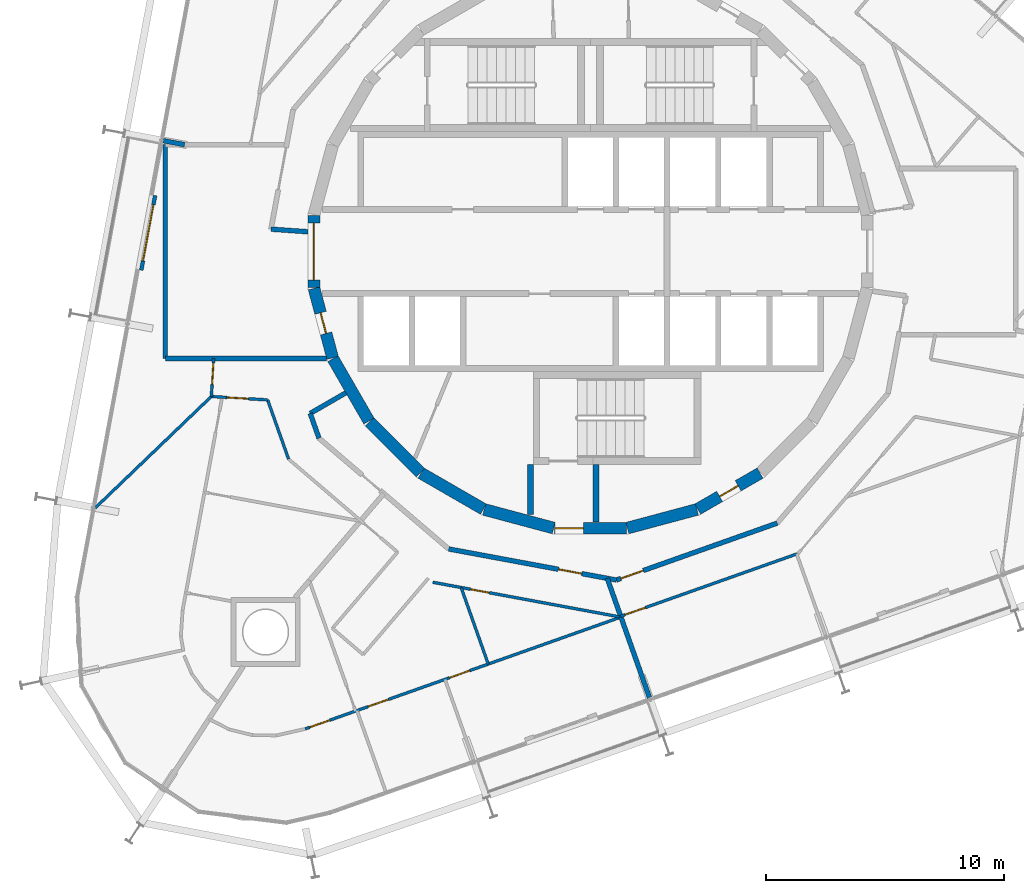
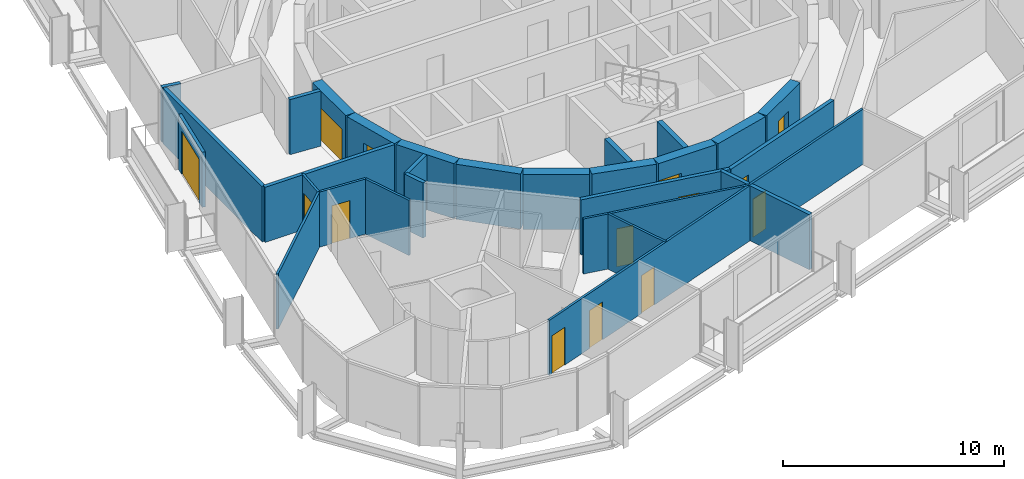
# One storey, part 11 of 17: 29 walls, 14 doors, 14 openings.
"""IFC4 building model written with IfcOpenShell, lengths in metres."""

from ifc_helpers import new_model, si_unit, direction, frame, frame_2d, origin, place, context, subcontext, project, spatial, rectangle, extrude, material, layer, layer_set, type_object, element, fill, save


model = new_model("IFC4")

# Units and contexts
model_context = context("Model", 3, precision=1e-05, world=origin(), true_north=direction((0.0, 1.0)))
body_context = subcontext(model_context, "Body", "Model", "MODEL_VIEW")
ifc_project = project(units=[si_unit("LENGTHUNIT", "METRE"), si_unit("AREAUNIT", "SQUARE_METRE"), si_unit("VOLUMEUNIT", "CUBIC_METRE"), si_unit("PLANEANGLEUNIT", "RADIAN"), si_unit("MASSUNIT", "GRAM", prefix="KILO")], contexts=[model_context])

# Site, building, storey
site_placement = place(None, origin())
site = spatial("IfcSite", under=ifc_project, at=site_placement, CompositionType="ELEMENT")
building_placement = place(site_placement, origin())
building = spatial("IfcBuilding", under=site, at=building_placement, Name="Spindle Arch Residences", CompositionType="ELEMENT")
storey_placement = place(building_placement, frame((0.0, 0.0, 179.699951171875)))
storey = spatial("IfcBuildingStorey", under=building, at=storey_placement, Name="L45", CompositionType="ELEMENT", Elevation=179.699951171875)

# Wall
ifc_material_1 = material(Name="Concrete C50/60", Category="concrete")
ifc_layer_1 = layer(ifc_material_1, 0.5)
ifc_layer_set_1 = layer_set([ifc_layer_1], Name="Core outline wall 500")
wall_type_1 = type_object("IfcWallType", Name="Core outline wall 500", PredefinedType="SHEAR", material=ifc_layer_set_1)
wall_1_placement = place(storey_placement, frame((1.5498046875, -11.642822265625, 0.0), z_axis=(0.0, 0.0, 1.0), x_axis=(0.965948410781, 0.258734743916, 0.0)))
element("IfcWall", 1, at=wall_1_placement, inside=storey, type_object=wall_type_1, Name="Core outline wall 1", PredefinedType="SHEAR", context=body_context, shape_type="SweptSolid", body=[
    extrude(rectangle(XDim=3.03271484375, YDim=0.5, at=frame_2d((1.516357421875, 0.0))), origin(), (0.0, 0.0, 1.0), 3.050048828125),
])

# Wall, opening, door
wall_2_placement = place(storey_placement, frame((4.510498046875, -10.84521484375, 0.0), z_axis=(0.0, 0.0, 1.0), x_axis=(0.865975092491, 0.500087131594, 0.0)))
wall_2 = element("IfcWall", 2, at=wall_2_placement, inside=storey, type_object=wall_type_1, Name="Core outline wall 2", PredefinedType="SHEAR", context=body_context, shape_type="SweptSolid", body=[
    extrude(rectangle(XDim=3.03271484375, YDim=0.5, at=frame_2d((1.516357421875, 0.0))), origin(), (0.0, 0.0, 1.0), 3.050048828125),
])
opening_1_placement = place(wall_2_placement, frame((1.06640625, 0.0, 0.0)))
opening_1 = element("IfcOpeningElement", 3, at=opening_1_placement, cuts=wall_2, Name="Opening R4C0-WD07", PredefinedType="OPENING", context=body_context, shape_type="SweptSolid", body=[
    extrude(rectangle(XDim=0.89990234375, YDim=2.10009765625, at=frame_2d((0.449951171875, 1.050048828125))), frame((0.0, 0.260009765625, 0.0), z_axis=(0.0, -1.0, 0.0), x_axis=(1.0, 0.0, 0.0)), (0.0, 0.0, 1.0), 0.52001953125),
])
ifc_material_2 = material(Name="Steel, fire-resisting door", Category="steel")
door_type_1 = type_object("IfcDoorType", Name="Service room door 900x2100", OperationType="SINGLE_SWING_LEFT", PredefinedType="DOOR", material=ifc_material_2)
door_1_placement = place(opening_1_placement, origin())
door_1 = element("IfcDoor", 4, at=door_1_placement, inside=storey, type_object=door_type_1, Name="Service room door R4C0-WD07", OperationType="SINGLE_SWING_LEFT", OverallHeight=2.10009765625, OverallWidth=0.89990234375, PredefinedType="DOOR", context=body_context, shape_type="SweptSolid", body=[
    extrude(rectangle(XDim=0.89990234375, YDim=2.10009765625, at=frame_2d((0.449951171875, 1.050048828125))), frame((0.0, 0.02490234375, 0.0), z_axis=(0.0, -1.0, 0.0), x_axis=(1.0, 0.0, 0.0)), (0.0, 0.0, 1.0), 0.050048828125),
])
fill(opening_1, door_1)

wall_3_placement = place(storey_placement, frame((-11.647216796875, 1.516357421875, 0.0), z_axis=(0.0, 0.0, 1.0), x_axis=(0.0, -1.0, 0.0)))
wall_3 = element("IfcWall", 5, at=wall_3_placement, inside=storey, type_object=wall_type_1, Name="Core outline wall 18", PredefinedType="SHEAR", context=body_context, shape_type="SweptSolid", body=[
    extrude(rectangle(XDim=3.03271484375, YDim=0.5, at=frame_2d((1.516357421875, 0.0))), origin(), (0.0, 0.0, 1.0), 3.050048828125),
])
opening_2_placement = place(wall_3_placement, frame((0.31640625, 0.0, 0.0)))
opening_2 = element("IfcOpeningElement", 6, at=opening_2_placement, cuts=wall_3, Name="Opening R4C0-LE01", PredefinedType="OPENING", context=body_context, shape_type="SweptSolid", body=[
    extrude(rectangle(XDim=2.39990234375, YDim=2.10009765625, at=frame_2d((1.199951171875, 1.050048828125))), frame((0.0, 0.260009765625, 0.0), z_axis=(0.0, -1.0, 0.0), x_axis=(1.0, 0.0, 0.0)), (0.0, 0.0, 1.0), 0.52001953125),
])
ifc_material_3 = material(Name="Steel, fire-resisting door", Category="steel")
door_type_2 = type_object("IfcDoorType", Name="Lift lobby entrance door 2400x2100", OperationType="DOUBLE_DOOR_SINGLE_SWING", PredefinedType="DOOR", material=ifc_material_3)
door_2_placement = place(opening_2_placement, origin())
door_2 = element("IfcDoor", 7, at=door_2_placement, inside=storey, type_object=door_type_2, Name="Lift lobby entrance door R4C0-LE01", OperationType="DOUBLE_DOOR_SINGLE_SWING", OverallHeight=2.10009765625, OverallWidth=2.39990234375, PredefinedType="DOOR", context=body_context, shape_type="SweptSolid", body=[
    extrude(rectangle(XDim=2.39990234375, YDim=2.10009765625, at=frame_2d((1.199951171875, 1.050048828125))), frame((0.0, 0.02490234375, 0.0), z_axis=(0.0, -1.0, 0.0), x_axis=(1.0, 0.0, 0.0)), (0.0, 0.0, 1.0), 0.050048828125),
])
fill(opening_2, door_2)

wall_4_placement = place(storey_placement, frame((-11.642822265625, -1.5498046875, 0.0), z_axis=(0.0, 0.0, 1.0), x_axis=(0.258734743916, -0.965948410781, 0.0)))
wall_4 = element("IfcWall", 8, at=wall_4_placement, inside=storey, type_object=wall_type_1, Name="Core outline wall 19", PredefinedType="SHEAR", context=body_context, shape_type="SweptSolid", body=[
    extrude(rectangle(XDim=3.03271484375, YDim=0.5, at=frame_2d((1.516357421875, 0.0))), origin(), (0.0, 0.0, 1.0), 3.050048828125),
])
opening_3_placement = place(wall_4_placement, frame((1.06640625, 0.0, 0.0)))
opening_3 = element("IfcOpeningElement", 9, at=opening_3_placement, cuts=wall_4, Name="Opening R4C0-WD08", PredefinedType="OPENING", context=body_context, shape_type="SweptSolid", body=[
    extrude(rectangle(XDim=0.89990234375, YDim=2.10009765625, at=frame_2d((0.449951171875, 1.050048828125))), frame((0.0, 0.260009765625, 0.0), z_axis=(0.0, -1.0, 0.0), x_axis=(1.0, 0.0, 0.0)), (0.0, 0.0, 1.0), 0.52001953125),
])
door_3_placement = place(opening_3_placement, origin())
door_3 = element("IfcDoor", 10, at=door_3_placement, inside=storey, type_object=door_type_1, Name="Service room door R4C0-WD08", OperationType="SINGLE_SWING_RIGHT", OverallHeight=2.10009765625, OverallWidth=0.89990234375, PredefinedType="DOOR", context=body_context, shape_type="SweptSolid", body=[
    extrude(rectangle(XDim=0.89990234375, YDim=2.10009765625, at=frame_2d((0.449951171875, 1.050048828125))), frame((0.0, 0.02490234375, 0.0), z_axis=(0.0, -1.0, 0.0), x_axis=(1.0, 0.0, 0.0)), (0.0, 0.0, 1.0), 0.050048828125),
])
fill(opening_3, door_3)

# Walls
wall_5_placement = place(storey_placement, frame((-10.84521484375, -4.510498046875, 0.0), z_axis=(0.0, 0.0, 1.0), x_axis=(0.500087131594, -0.865975092491, 0.0)))
element("IfcWall", 11, at=wall_5_placement, inside=storey, type_object=wall_type_1, Name="Core outline wall 20", PredefinedType="SHEAR", context=body_context, shape_type="SweptSolid", body=[
    extrude(rectangle(XDim=3.03271484375, YDim=0.5, at=frame_2d((1.516357421875, 0.0))), origin(), (0.0, 0.0, 1.0), 3.050048828125),
])
wall_6_placement = place(storey_placement, frame((-9.30810546875, -7.163818359375, 0.0), z_axis=(0.0, 0.0, 1.0), x_axis=(0.707106781187, -0.707106781187, 0.0)))
element("IfcWall", 12, at=wall_6_placement, inside=storey, type_object=wall_type_1, Name="Core outline wall 21", PredefinedType="SHEAR", context=body_context, shape_type="SweptSolid", body=[
    extrude(rectangle(XDim=3.032470703125, YDim=0.5, at=frame_2d((1.51611328125, 0.0))), origin(), (0.0, 0.0, 1.0), 3.050048828125),
])
for number, where, z_axis, x_axis, name in (
    (13, (-7.13671875, -9.32861328125, 0.0), (0.0, 0.0, 1.0), (0.865975092491, -0.500087131594, 0.0), "Core outline wall 22"),
    (14, (-4.479248046875, -10.858154296875, 0.0), (0.0, 0.0, 1.0), (0.965948410781, -0.258734743916, 0.0), "Core outline wall 23"),
):
    element("IfcWall", number, at=place(storey_placement, frame(where, z_axis=z_axis, x_axis=x_axis)), inside=storey, type_object=wall_type_1, Name=name, PredefinedType="SHEAR", context=body_context, shape_type="SweptSolid", body=[
        extrude(rectangle(XDim=3.03271484375, YDim=0.5, at=frame_2d((1.516357421875, 0.0))), origin(), (0.0, 0.0, 1.0), 3.050048828125),
    ])

# Wall, opening, door
wall_7_placement = place(storey_placement, frame((-1.516357421875, -11.647216796875, 0.0), z_axis=(0.0, 0.0, 1.0), x_axis=(1.0, 0.0, 0.0)))
wall_7 = element("IfcWall", 15, at=wall_7_placement, inside=storey, type_object=wall_type_1, Name="Core outline wall 24", PredefinedType="SHEAR", context=body_context, shape_type="SweptSolid", body=[
    extrude(rectangle(XDim=3.03271484375, YDim=0.5, at=frame_2d((1.516357421875, 0.0))), origin(), (0.0, 0.0, 1.0), 3.050048828125),
])
opening_4_placement = place(wall_7_placement, frame((0.016357421875, 0.0, 0.0)))
opening_4 = element("IfcOpeningElement", 16, at=opening_4_placement, cuts=wall_7, Name="Opening R4C0-AD03", PredefinedType="OPENING", context=body_context, shape_type="SweptSolid", body=[
    extrude(rectangle(XDim=1.199951171875, YDim=2.10009765625, at=frame_2d((0.60009765625, 1.050048828125))), frame((0.0, 0.260009765625, 0.0), z_axis=(0.0, -1.0, 0.0), x_axis=(1.0, 0.0, 0.0)), (0.0, 0.0, 1.0), 0.52001953125),
])
ifc_material_4 = material(Name="Steel, fire-resisting door", Category="steel")
door_type_3 = type_object("IfcDoorType", Name="Stair airlock door 1200x2100", OperationType="SINGLE_SWING_LEFT", PredefinedType="DOOR", material=ifc_material_4)
door_4_placement = place(opening_4_placement, origin())
door_4 = element("IfcDoor", 17, at=door_4_placement, inside=storey, type_object=door_type_3, Name="Stair airlock door R4C0-AD03", OperationType="SINGLE_SWING_RIGHT", OverallHeight=2.10009765625, OverallWidth=1.199951171875, PredefinedType="DOOR", context=body_context, shape_type="SweptSolid", body=[
    extrude(rectangle(XDim=1.199951171875, YDim=2.10009765625, at=frame_2d((0.60009765625, 1.050048828125))), frame((0.0, 0.02490234375, 0.0), z_axis=(0.0, -1.0, 0.0), x_axis=(1.0, 0.0, 0.0)), (0.0, 0.0, 1.0), 0.050048828125),
])
fill(opening_4, door_4)

# Walls
ifc_material_5 = material(Name="Calcium silicate block, plastered")
ifc_layer_2 = layer(ifc_material_5, 0.199951171875)
ifc_layer_set_2 = layer_set([ifc_layer_2], Name="Corridor wall 200")
wall_type_2 = type_object("IfcWallType", Name="Corridor wall 200", PredefinedType="STANDARD", material=ifc_layer_set_2)
wall_8_placement = place(storey_placement, frame((-10.303466796875, -5.94873046875, 0.0), z_axis=(0.0, 0.0, 1.0), x_axis=(-0.866021168401, -0.500007335828, 0.0)))
element("IfcWall", 18, at=wall_8_placement, inside=storey, type_object=wall_type_2, Name="Corridor wall R4C0-W014", PredefinedType="STANDARD", context=body_context, shape_type="SweptSolid", body=[
    extrude(rectangle(XDim=1.73095703125, YDim=0.199951171875, at=frame_2d((0.865478515625, 0.0))), origin(), (0.0, 0.0, 1.0), 3.050048828125),
])
wall_9_placement = place(storey_placement, frame((-11.802490234375, -6.814208984375, 0.0), z_axis=(0.0, 0.0, 1.0), x_axis=(0.333904297771, -0.942606980629, 0.0)))
element("IfcWall", 19, at=wall_9_placement, inside=storey, type_object=wall_type_2, Name="Corridor wall R4C0-W015", PredefinedType="STANDARD", context=body_context, shape_type="SweptSolid", body=[
    extrude(rectangle(XDim=1.10693359375, YDim=0.199951171875, at=frame_2d((0.553466796875, 0.0))), origin(), (0.0, 0.0, 1.0), 3.050048828125),
])

# Wall, opening, door
wall_10_placement = place(storey_placement, frame((-5.972412109375, -12.521240234375, 0.0), z_axis=(0.0, 0.0, 1.0), x_axis=(0.983256068163, -0.18222926335, 0.0)))
wall_10 = element("IfcWall", 20, at=wall_10_placement, inside=storey, type_object=wall_type_2, Name="Corridor wall R4C0-W017", PredefinedType="STANDARD", context=body_context, shape_type="SweptSolid", body=[
    extrude(rectangle(XDim=7.180908203125, YDim=0.199951171875, at=frame_2d((3.59033203125, 0.0))), origin(), (0.0, 0.0, 1.0), 3.050048828125),
])
opening_5_placement = place(wall_10_placement, frame((4.699951171875, 0.0, 0.0)))
opening_5 = element("IfcOpeningElement", 21, at=opening_5_placement, cuts=wall_10, Name="Opening R4C0-FD05", PredefinedType="OPENING", context=body_context, shape_type="SweptSolid", body=[
    extrude(rectangle(XDim=1.0, YDim=2.10009765625, at=frame_2d((0.5, 1.050048828125))), frame((0.0, 0.10986328125, 0.0), z_axis=(0.0, -1.0, 0.0), x_axis=(1.0, 0.0, 0.0)), (0.0, 0.0, 1.0), 0.219970703125),
])
ifc_material_6 = material(Name="Timber, fire-resisting door set", Category="wood")
door_type_4 = type_object("IfcDoorType", Name="Flat entrance door 1000x2100", OperationType="NOTDEFINED", PredefinedType="DOOR", material=ifc_material_6)
door_5_placement = place(opening_5_placement, origin())
door_5 = element("IfcDoor", 22, at=door_5_placement, inside=storey, type_object=door_type_4, Name="Flat entrance door R4C0-FD05", OperationType="SINGLE_SWING_LEFT", OverallHeight=2.10009765625, OverallWidth=1.0, PredefinedType="DOOR", context=body_context, shape_type="SweptSolid", body=[
    extrude(rectangle(XDim=1.0, YDim=2.10009765625, at=frame_2d((0.5, 1.050048828125))), frame((0.0, 0.02490234375, 0.0), z_axis=(0.0, -1.0, 0.0), x_axis=(1.0, 0.0, 0.0)), (0.0, 0.0, 1.0), 0.050048828125),
])
fill(opening_5, door_5)

wall_11_placement = place(storey_placement, frame((1.08837890625, -13.829833984375, 0.0), z_axis=(0.0, 0.0, 1.0), x_axis=(0.942648397945, 0.333787354241, 0.0)))
wall_11 = element("IfcWall", 23, at=wall_11_placement, inside=storey, type_object=wall_type_2, Name="Corridor wall R4C0-W018", PredefinedType="STANDARD", context=body_context, shape_type="SweptSolid", body=[
    extrude(rectangle(XDim=7.18115234375, YDim=0.199951171875, at=frame_2d((3.590576171875, 0.0))), origin(), (0.0, 0.0, 1.0), 3.050048828125),
])
opening_6_placement = place(wall_11_placement, frame((0.199951171875, 0.0, 0.0)))
opening_6 = element("IfcOpeningElement", 24, at=opening_6_placement, cuts=wall_11, Name="Opening R4C0-FD06", PredefinedType="OPENING", context=body_context, shape_type="SweptSolid", body=[
    extrude(rectangle(XDim=1.0, YDim=2.10009765625, at=frame_2d((0.5, 1.050048828125))), frame((0.0, 0.10986328125, 0.0), z_axis=(0.0, -1.0, 0.0), x_axis=(1.0, 0.0, 0.0)), (0.0, 0.0, 1.0), 0.219970703125),
])
door_6_placement = place(opening_6_placement, origin())
door_6 = element("IfcDoor", 25, at=door_6_placement, inside=storey, type_object=door_type_4, Name="Flat entrance door R4C0-FD06", OperationType="SINGLE_SWING_LEFT", OverallHeight=2.10009765625, OverallWidth=1.0, PredefinedType="DOOR", context=body_context, shape_type="SweptSolid", body=[
    extrude(rectangle(XDim=1.0, YDim=2.10009765625, at=frame_2d((0.5, 1.050048828125))), frame((0.0, 0.02490234375, 0.0), z_axis=(0.0, -1.0, 0.0), x_axis=(1.0, 0.0, 0.0)), (0.0, 0.0, 1.0), 0.050048828125),
])
fill(opening_6, door_6)

ifc_material_7 = material(Name="Plasterboard on steel studs", Category="steel")
ifc_layer_3 = layer(ifc_material_7, 0.1201171875)
ifc_layer_set_3 = layer_set([ifc_layer_3], Name="Flat partition 120")
wall_type_3 = type_object("IfcWallType", Name="Flat partition 120", PredefinedType="PARTITIONING", material=ifc_layer_set_3)
wall_12_placement = place(storey_placement, frame((-15.866455078125, -4.5, 0.0), z_axis=(0.0, 0.0, 1.0), x_axis=(-0.060986374837, -0.998138598635, 0.0)))
wall_12 = element("IfcWall", 26, at=wall_12_placement, inside=storey, type_object=wall_type_3, Name="Flat partition R4C0-W082", PredefinedType="PARTITIONING", context=body_context, shape_type="SweptSolid", body=[
    extrude(rectangle(XDim=1.605224609375, YDim=0.1201171875, at=frame_2d((0.802734375, 0.0))), origin(), (0.0, 0.0, 1.0), 3.050048828125),
])
opening_7_placement = place(wall_12_placement, frame((0.199951171875, 0.0, 0.0)))
opening_7 = element("IfcOpeningElement", 27, at=opening_7_placement, cuts=wall_12, Name="Opening R4C0-ID17", PredefinedType="OPENING", context=body_context, shape_type="SweptSolid", body=[
    extrude(rectangle(XDim=0.89990234375, YDim=2.10009765625, at=frame_2d((0.449951171875, 1.050048828125))), frame((0.0, 0.070068359375, 0.0), z_axis=(0.0, -1.0, 0.0), x_axis=(1.0, 0.0, 0.0)), (0.0, 0.0, 1.0), 0.14013671875),
])
ifc_material_8 = material(Name="Timber door set", Category="wood")
door_type_5 = type_object("IfcDoorType", Name="Room door 900x2100", OperationType="NOTDEFINED", PredefinedType="DOOR", material=ifc_material_8)
door_7_placement = place(opening_7_placement, origin())
door_7 = element("IfcDoor", 28, at=door_7_placement, inside=storey, type_object=door_type_5, Name="Room door R4C0-ID17", OperationType="SINGLE_SWING_RIGHT", OverallHeight=2.10009765625, OverallWidth=0.89990234375, PredefinedType="DOOR", context=body_context, shape_type="SweptSolid", body=[
    extrude(rectangle(XDim=0.89990234375, YDim=2.10009765625, at=frame_2d((0.449951171875, 1.050048828125))), frame((0.0, 0.02490234375, 0.0), z_axis=(0.0, -1.0, 0.0), x_axis=(1.0, 0.0, 0.0)), (0.0, 0.0, 1.0), 0.050048828125),
])
fill(opening_7, door_7)

wall_13_placement = place(storey_placement, frame((-15.96435546875, -6.102294921875, 0.0), z_axis=(0.0, 0.0, 1.0), x_axis=(0.998145469708, -0.060873814574, 0.0)))
wall_13 = element("IfcWall", 29, at=wall_13_placement, inside=storey, type_object=wall_type_3, Name="Flat partition R4C0-W083", PredefinedType="PARTITIONING", context=body_context, shape_type="SweptSolid", body=[
    extrude(rectangle(XDim=2.374267578125, YDim=0.1201171875, at=frame_2d((1.18701171875, 0.0))), origin(), (0.0, 0.0, 1.0), 3.050048828125),
])
opening_8_placement = place(wall_13_placement, frame((0.655517578125, 0.0, 0.0)))
opening_8 = element("IfcOpeningElement", 30, at=opening_8_placement, cuts=wall_13, Name="Opening R4C0-ID18", PredefinedType="OPENING", context=body_context, shape_type="SweptSolid", body=[
    extrude(rectangle(XDim=0.89990234375, YDim=2.10009765625, at=frame_2d((0.449951171875, 1.050048828125))), frame((0.0, 0.070068359375, 0.0), z_axis=(0.0, -1.0, 0.0), x_axis=(1.0, 0.0, 0.0)), (0.0, 0.0, 1.0), 0.14013671875),
])
door_8_placement = place(opening_8_placement, origin())
door_8 = element("IfcDoor", 31, at=door_8_placement, inside=storey, type_object=door_type_5, Name="Room door R4C0-ID18", OperationType="SINGLE_SWING_RIGHT", OverallHeight=2.10009765625, OverallWidth=0.89990234375, PredefinedType="DOOR", context=body_context, shape_type="SweptSolid", body=[
    extrude(rectangle(XDim=0.89990234375, YDim=2.10009765625, at=frame_2d((0.449951171875, 1.050048828125))), frame((0.0, 0.02490234375, 0.0), z_axis=(0.0, -1.0, 0.0), x_axis=(1.0, 0.0, 0.0)), (0.0, 0.0, 1.0), 0.050048828125),
])
fill(opening_8, door_8)

# Walls
wall_14_placement = place(storey_placement, frame((-13.594482421875, -6.246826171875, 0.0), z_axis=(0.0, 0.0, 1.0), x_axis=(0.333777006894, -0.942652061828, 0.0)))
element("IfcWall", 32, at=wall_14_placement, inside=storey, type_object=wall_type_3, Name="Flat partition R4C0-W084", PredefinedType="PARTITIONING", context=body_context, shape_type="SweptSolid", body=[
    extrude(rectangle(XDim=2.64208984375, YDim=0.1201171875, at=frame_2d((1.321044921875, 0.0))), origin(), (0.0, 0.0, 1.0), 3.050048828125),
])
wall_15_placement = place(storey_placement, frame((-20.8486328125, -10.79150390625, 0.0), z_axis=(0.0, 0.0, 1.0), x_axis=(0.721364983662, 0.692555095531, 0.0)))
element("IfcWall", 33, at=wall_15_placement, inside=storey, type_object=wall_type_3, Name="Flat partition R4C0-W086", PredefinedType="PARTITIONING", context=body_context, shape_type="SweptSolid", body=[
    extrude(rectangle(XDim=6.77099609375, YDim=0.1201171875, at=frame_2d((3.385498046875, 0.0))), origin(), (0.0, 0.0, 1.0), 3.050048828125),
])

# Wall, opening, door
wall_16_placement = place(storey_placement, frame((-6.640869140625, -13.9228515625, 0.0), z_axis=(0.0, 0.0, 1.0), x_axis=(0.983250157272, -0.182261153912, 0.0)))
wall_16 = element("IfcWall", 34, at=wall_16_placement, inside=storey, type_object=wall_type_3, Name="Flat partition R4C0-W099", PredefinedType="PARTITIONING", context=body_context, shape_type="SweptSolid", body=[
    extrude(rectangle(XDim=7.98486328125, YDim=0.1201171875, at=frame_2d((3.992431640625, 0.0))), origin(), (0.0, 0.0, 1.0), 3.050048828125),
])
opening_9_placement = place(wall_16_placement, frame((1.6123046875, 0.0, 0.0)))
opening_9 = element("IfcOpeningElement", 35, at=opening_9_placement, cuts=wall_16, Name="Opening R4C0-BD05", PredefinedType="OPENING", context=body_context, shape_type="SweptSolid", body=[
    extrude(rectangle(XDim=0.800048828125, YDim=2.10009765625, at=frame_2d((0.39990234375, 1.050048828125))), frame((0.0, 0.070068359375, 0.0), z_axis=(0.0, -1.0, 0.0), x_axis=(1.0, 0.0, 0.0)), (0.0, 0.0, 1.0), 0.14013671875),
])
ifc_material_9 = material(Name="Timber door set", Category="wood")
door_type_6 = type_object("IfcDoorType", Name="Bathroom door 800x2100", OperationType="NOTDEFINED", PredefinedType="DOOR", material=ifc_material_9)
door_9_placement = place(opening_9_placement, origin())
door_9 = element("IfcDoor", 36, at=door_9_placement, inside=storey, type_object=door_type_6, Name="Bathroom door R4C0-BD05", OperationType="SINGLE_SWING_LEFT", OverallHeight=2.10009765625, OverallWidth=0.800048828125, PredefinedType="DOOR", context=body_context, shape_type="SweptSolid", body=[
    extrude(rectangle(XDim=0.800048828125, YDim=2.10009765625, at=frame_2d((0.39990234375, 1.050048828125))), frame((0.0, 0.02490234375, 0.0), z_axis=(0.0, -1.0, 0.0), x_axis=(1.0, 0.0, 0.0)), (0.0, 0.0, 1.0), 0.050048828125),
])
fill(opening_9, door_9)

# Wall, openings, doors
wall_17_placement = place(storey_placement, frame((-12.0146484375, -20.09619140625, 0.0), z_axis=(0.0, 0.0, 1.0), x_axis=(0.942638913957, 0.33381413675, 0.0)))
wall_17 = element("IfcWall", 37, at=wall_17_placement, inside=storey, type_object=wall_type_3, Name="Flat partition R4C0-W104", PredefinedType="PARTITIONING", context=body_context, shape_type="SweptSolid", body=[
    extrude(rectangle(XDim=14.103759765625, YDim=0.1201171875, at=frame_2d((7.0517578125, 0.0))), origin(), (0.0, 0.0, 1.0), 3.050048828125),
])
opening_10_placement = place(wall_17_placement, frame((2.813720703125, 0.0, 0.0)))
opening_10 = element("IfcOpeningElement", 38, at=opening_10_placement, cuts=wall_17, Name="Opening R4C0-ID24", PredefinedType="OPENING", context=body_context, shape_type="SweptSolid", body=[
    extrude(rectangle(XDim=0.89990234375, YDim=2.10009765625, at=frame_2d((0.449951171875, 1.050048828125))), frame((0.0, 0.070068359375, 0.0), z_axis=(0.0, -1.0, 0.0), x_axis=(1.0, 0.0, 0.0)), (0.0, 0.0, 1.0), 0.14013671875),
])
opening_11_placement = place(wall_17_placement, frame((6.443603515625, 0.0, 0.0)))
opening_11 = element("IfcOpeningElement", 39, at=opening_11_placement, cuts=wall_17, Name="Opening R4C0-ID25", PredefinedType="OPENING", context=body_context, shape_type="SweptSolid", body=[
    extrude(rectangle(XDim=0.89990234375, YDim=2.10009765625, at=frame_2d((0.449951171875, 1.050048828125))), frame((0.0, 0.070068359375, 0.0), z_axis=(0.0, -1.0, 0.0), x_axis=(1.0, 0.0, 0.0)), (0.0, 0.0, 1.0), 0.14013671875),
])
opening_12_placement = place(wall_17_placement, frame((0.199951171875, 0.0, 0.0)))
opening_12 = element("IfcOpeningElement", 40, at=opening_12_placement, cuts=wall_17, Name="Opening R4C0-ID26", PredefinedType="OPENING", context=body_context, shape_type="SweptSolid", body=[
    extrude(rectangle(XDim=0.89990234375, YDim=2.10009765625, at=frame_2d((0.449951171875, 1.050048828125))), frame((0.0, 0.070068359375, 0.0), z_axis=(0.0, -1.0, 0.0), x_axis=(1.0, 0.0, 0.0)), (0.0, 0.0, 1.0), 0.14013671875),
])
door_10_placement = place(opening_10_placement, origin())
door_10 = element("IfcDoor", 41, at=door_10_placement, inside=storey, type_object=door_type_5, Name="Room door R4C0-ID24", OperationType="SINGLE_SWING_LEFT", OverallHeight=2.10009765625, OverallWidth=0.89990234375, PredefinedType="DOOR", context=body_context, shape_type="SweptSolid", body=[
    extrude(rectangle(XDim=0.89990234375, YDim=2.10009765625, at=frame_2d((0.449951171875, 1.050048828125))), frame((0.0, 0.02490234375, 0.0), z_axis=(0.0, -1.0, 0.0), x_axis=(1.0, 0.0, 0.0)), (0.0, 0.0, 1.0), 0.050048828125),
])
fill(opening_10, door_10)
door_11_placement = place(opening_11_placement, origin())
door_11 = element("IfcDoor", 42, at=door_11_placement, inside=storey, type_object=door_type_5, Name="Room door R4C0-ID25", OperationType="SINGLE_SWING_LEFT", OverallHeight=2.10009765625, OverallWidth=0.89990234375, PredefinedType="DOOR", context=body_context, shape_type="SweptSolid", body=[
    extrude(rectangle(XDim=0.89990234375, YDim=2.10009765625, at=frame_2d((0.449951171875, 1.050048828125))), frame((0.0, 0.02490234375, 0.0), z_axis=(0.0, -1.0, 0.0), x_axis=(1.0, 0.0, 0.0)), (0.0, 0.0, 1.0), 0.050048828125),
])
fill(opening_11, door_11)
door_12_placement = place(opening_12_placement, origin())
door_12 = element("IfcDoor", 43, at=door_12_placement, inside=storey, type_object=door_type_5, Name="Room door R4C0-ID26", OperationType="SINGLE_SWING_RIGHT", OverallHeight=2.10009765625, OverallWidth=0.89990234375, PredefinedType="DOOR", context=body_context, shape_type="SweptSolid", body=[
    extrude(rectangle(XDim=0.89990234375, YDim=2.10009765625, at=frame_2d((0.449951171875, 1.050048828125))), frame((0.0, 0.02490234375, 0.0), z_axis=(0.0, -1.0, 0.0), x_axis=(1.0, 0.0, 0.0)), (0.0, 0.0, 1.0), 0.050048828125),
])
fill(opening_12, door_12)

# Wall
wall_18_placement = place(storey_placement, frame((-4.3076171875, -17.366943359375, 0.0), z_axis=(0.0, 0.0, 1.0), x_axis=(-0.333802202677, 0.942643140052, 0.0)))
element("IfcWall", 44, at=wall_18_placement, inside=storey, type_object=wall_type_3, Name="Flat partition R4C0-W107", PredefinedType="PARTITIONING", context=body_context, shape_type="SweptSolid", body=[
    extrude(rectangle(XDim=3.419189453125, YDim=0.1201171875, at=frame_2d((1.70947265625, 0.0))), origin(), (0.0, 0.0, 1.0), 3.050048828125),
])

# Wall, opening, door
wall_19_placement = place(storey_placement, frame((1.26904296875, -15.357177734375, 0.0), z_axis=(0.0, 0.0, 1.0), x_axis=(0.942639442898, 0.333812643101, 0.0)))
wall_19 = element("IfcWall", 45, at=wall_19_placement, inside=storey, type_object=wall_type_3, Name="Flat partition R4C0-W109", PredefinedType="PARTITIONING", context=body_context, shape_type="SweptSolid", body=[
    extrude(rectangle(XDim=7.860107421875, YDim=0.1201171875, at=frame_2d((3.93017578125, 0.0))), origin(), (0.0, 0.0, 1.0), 3.050048828125),
])
opening_13_placement = place(wall_19_placement, frame((0.199951171875, 0.0, 0.0)))
opening_13 = element("IfcOpeningElement", 46, at=opening_13_placement, cuts=wall_19, Name="Opening R4C0-ID27", PredefinedType="OPENING", context=body_context, shape_type="SweptSolid", body=[
    extrude(rectangle(XDim=0.89990234375, YDim=2.10009765625, at=frame_2d((0.449951171875, 1.050048828125))), frame((0.0, 0.070068359375, 0.0), z_axis=(0.0, -1.0, 0.0), x_axis=(1.0, 0.0, 0.0)), (0.0, 0.0, 1.0), 0.14013671875),
])
door_13_placement = place(opening_13_placement, origin())
door_13 = element("IfcDoor", 47, at=door_13_placement, inside=storey, type_object=door_type_5, Name="Room door R4C0-ID27", OperationType="SINGLE_SWING_LEFT", OverallHeight=2.10009765625, OverallWidth=0.89990234375, PredefinedType="DOOR", context=body_context, shape_type="SweptSolid", body=[
    extrude(rectangle(XDim=0.89990234375, YDim=2.10009765625, at=frame_2d((0.449951171875, 1.050048828125))), frame((0.0, 0.02490234375, 0.0), z_axis=(0.0, -1.0, 0.0), x_axis=(1.0, 0.0, 0.0)), (0.0, 0.0, 1.0), 0.050048828125),
])
fill(opening_13, door_13)

# Walls
ifc_material_10 = material(Name="Calcium silicate block, plastered")
ifc_layer_4 = layer(ifc_material_10, 0.199951171875)
ifc_layer_set_4 = layer_set([ifc_layer_4], Name="Flat party wall 200")
wall_type_4 = type_object("IfcWallType", Name="Flat party wall 200", PredefinedType="STANDARD", material=ifc_layer_set_4)
wall_20_placement = place(storey_placement, frame((-17.98388671875, 4.665283203125, 0.0), z_axis=(0.0, 0.0, 1.0), x_axis=(0.98328378843, -0.182079629313, 0.0)))
element("IfcWall", 48, at=wall_20_placement, inside=storey, type_object=wall_type_4, Name="Flat party wall R4C0-W032", PredefinedType="STANDARD", context=body_context, shape_type="SweptSolid", body=[
    extrude(rectangle(XDim=0.90771484375, YDim=0.199951171875, at=frame_2d((0.453857421875, 0.0))), origin(), (0.0, 0.0, 1.0), 3.050048828125),
])
wall_21_placement = place(storey_placement, frame((2.481689453125, -18.78173828125, 0.0), z_axis=(0.0, 0.0, 1.0), x_axis=(-0.333807281402, 0.942641341594, 0.0)))
element("IfcWall", 49, at=wall_21_placement, inside=storey, type_object=wall_type_4, Name="Flat party wall R4C0-W036", PredefinedType="STANDARD", context=body_context, shape_type="SweptSolid", body=[
    extrude(rectangle(XDim=5.328857421875, YDim=0.199951171875, at=frame_2d((2.66455078125, 0.0))), origin(), (0.0, 0.0, 1.0), 3.050048828125),
])

# Wall, opening, door
ifc_material_11 = material(Name="Non-combustible mineral wool insulated aluminium faced external wall (K0)", Category="aluminium")
ifc_layer_5 = layer(ifc_material_11, 0.159912109375)
ifc_layer_set_5 = layer_set([ifc_layer_5], Name="Insulated external wall panel 160")
wall_type_5 = type_object("IfcWallType", Name="Insulated external wall panel 160", PredefinedType="STANDARD", material=ifc_layer_set_5)
wall_22_placement = place(storey_placement, frame((-18.329833984375, 2.35986328125, 0.0), z_axis=(0.0, 0.0, 1.0), x_axis=(-0.18226136951, -0.983250117307, 0.0)))
wall_22 = element("IfcWall", 50, at=wall_22_placement, inside=storey, type_object=wall_type_5, Name="External wall L45 bay 15", PredefinedType="STANDARD", context=body_context, shape_type="SweptSolid", body=[
    extrude(rectangle(XDim=3.2001953125, YDim=0.159912109375, at=frame_2d((1.60009765625, 0.0))), origin(), (0.0, 0.0, 1.0), 3.050048828125),
])
opening_14_placement = place(wall_22_placement, frame((0.39990234375, 0.0, 0.0)))
opening_14 = element("IfcOpeningElement", 51, at=opening_14_placement, cuts=wall_22, Name="Opening BD15", PredefinedType="OPENING", context=body_context, shape_type="SweptSolid", body=[
    extrude(rectangle(XDim=2.39990234375, YDim=2.39990234375, at=frame_2d((1.199951171875, 1.199951171875))), frame((0.0, 0.08984375, 0.0), z_axis=(0.0, -1.0, 0.0), x_axis=(1.0, 0.0, 0.0)), (0.0, 0.0, 1.0), 0.179931640625),
])
ifc_material_12 = material(Name="Bronze aluminium frame, tinted double glazing", Category="aluminium")
door_type_7 = type_object("IfcDoorType", Name="Sliding glazed balcony door 2400x2400", OperationType="DOUBLE_DOOR_SLIDING", PredefinedType="DOOR", material=ifc_material_12)
door_14_placement = place(opening_14_placement, origin())
door_14 = element("IfcDoor", 52, at=door_14_placement, inside=storey, type_object=door_type_7, Name="Balcony door BD15", OperationType="DOUBLE_DOOR_SLIDING", OverallHeight=2.39990234375, OverallWidth=2.39990234375, PredefinedType="DOOR", context=body_context, shape_type="SweptSolid", body=[
    extrude(rectangle(XDim=2.39990234375, YDim=2.39990234375, at=frame_2d((1.199951171875, 1.199951171875))), frame((0.0, 0.02490234375, 0.0), z_axis=(0.0, -1.0, 0.0), x_axis=(1.0, 0.0, 0.0)), (0.0, 0.0, 1.0), 0.050048828125),
])
fill(opening_14, door_14)

# Walls
ifc_material_13 = material(Name="Calcium silicate block, plastered")
ifc_layer_6 = layer(ifc_material_13, 0.199951171875)
ifc_layer_set_6 = layer_set([ifc_layer_6], Name="Lift lobby bay wall 200")
wall_type_6 = type_object("IfcWallType", Name="Lift lobby bay wall 200", PredefinedType="STANDARD", material=ifc_layer_set_6)
wall_23_placement = place(storey_placement, frame((-13.453857421875, 0.94091796875, 0.0), z_axis=(0.0, 0.0, 1.0), x_axis=(0.99755155062, -0.069934997354, 0.0)))
element("IfcWall", 53, at=wall_23_placement, inside=storey, type_object=wall_type_6, Name="Lift lobby bay wall R4C0-W008", PredefinedType="STANDARD", context=body_context, shape_type="SweptSolid", body=[
    extrude(rectangle(XDim=1.560546875, YDim=0.199951171875, at=frame_2d((0.7802734375, 0.0))), origin(), (0.0, 0.0, 1.0), 3.050048828125),
])
wall_24_placement = place(storey_placement, frame((-17.89990234375, -4.5, 0.0), z_axis=(0.0, 0.0, 1.0), x_axis=(1.0, 0.0, 0.0)))
element("IfcWall", 54, at=wall_24_placement, inside=storey, type_object=wall_type_6, Name="Lift lobby bay wall R4C0-W021", PredefinedType="STANDARD", context=body_context, shape_type="SweptSolid", body=[
    extrude(rectangle(XDim=6.78857421875, YDim=0.199951171875, at=frame_2d((3.394287109375, 0.0))), origin(), (0.0, 0.0, 1.0), 3.050048828125),
])
wall_25_placement = place(storey_placement, frame((-17.89990234375, 4.5, 0.0), z_axis=(0.0, 0.0, 1.0), x_axis=(0.0, -1.0, 0.0)))
element("IfcWall", 55, at=wall_25_placement, inside=storey, type_object=wall_type_6, Name="Lift lobby bay wall R4C0-W022", PredefinedType="STANDARD", context=body_context, shape_type="SweptSolid", body=[
    extrude(rectangle(XDim=9.0, YDim=0.199951171875, at=frame_2d((4.5, 0.0))), origin(), (0.0, 0.0, 1.0), 3.050048828125),
])
ifc_material_14 = material(Name="Concrete C40/50", Category="concrete")
ifc_layer_7 = layer(ifc_material_14, 0.25)
ifc_layer_set_7 = layer_set([ifc_layer_7], Name="Stair airlock wall 250")
wall_type_7 = type_object("IfcWallType", Name="Stair airlock wall 250", PredefinedType="SHEAR", material=ifc_layer_set_7)
wall_26_placement = place(storey_placement, frame((-2.52490234375, -8.969970703125, 0.0), z_axis=(0.0, 0.0, 1.0), x_axis=(0.0, -1.0, 0.0)))
element("IfcWall", 56, at=wall_26_placement, inside=storey, type_object=wall_type_7, Name="Stair ST-3 airlock wall W", PredefinedType="SHEAR", context=body_context, shape_type="SweptSolid", body=[
    extrude(rectangle(XDim=2.110107421875, YDim=0.25, at=frame_2d((1.05517578125, 0.0))), origin(), (0.0, 0.0, 1.0), 3.050048828125),
])
wall_27_placement = place(storey_placement, frame((0.22509765625, -8.969970703125, 0.0), z_axis=(0.0, 0.0, 1.0), x_axis=(0.0, -1.0, 0.0)))
element("IfcWall", 57, at=wall_27_placement, inside=storey, type_object=wall_type_7, Name="Stair ST-3 airlock wall E", PredefinedType="SHEAR", context=body_context, shape_type="SweptSolid", body=[
    extrude(rectangle(XDim=2.409912109375, YDim=0.25, at=frame_2d((1.205078125, 0.0))), origin(), (0.0, 0.0, 1.0), 3.050048828125),
])

save(model, "model.ifc")
